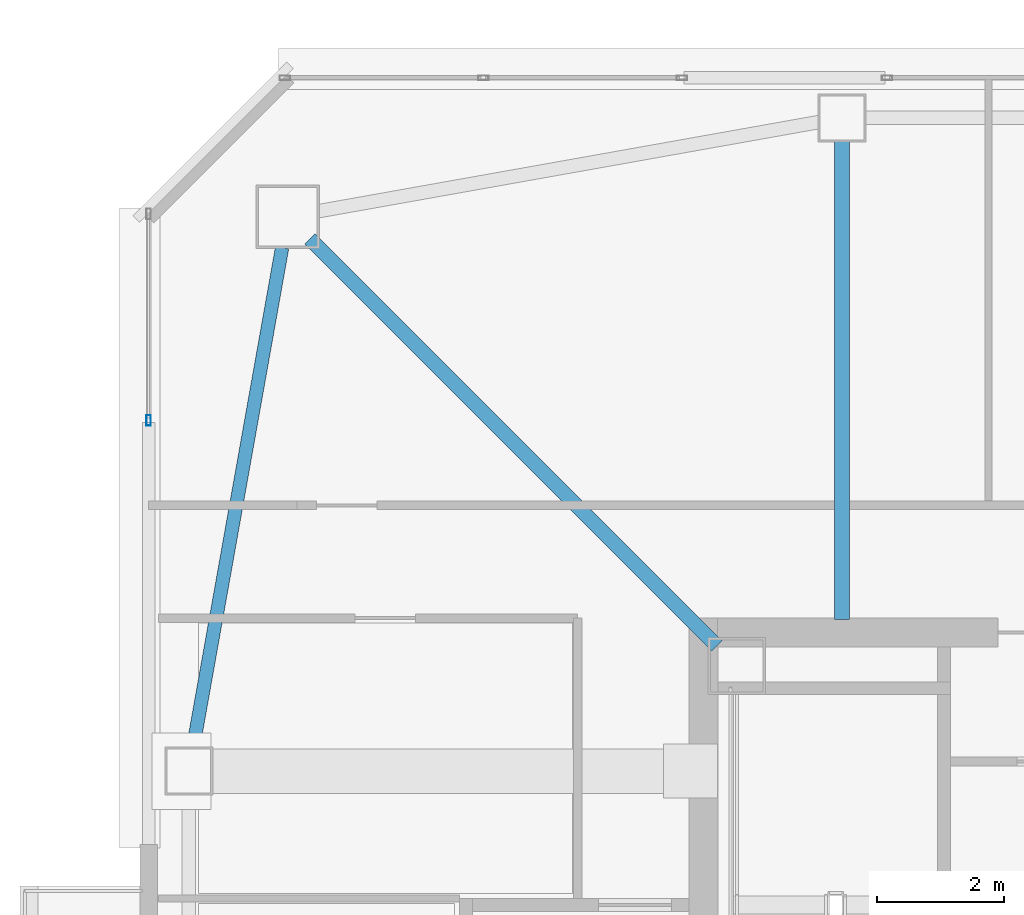
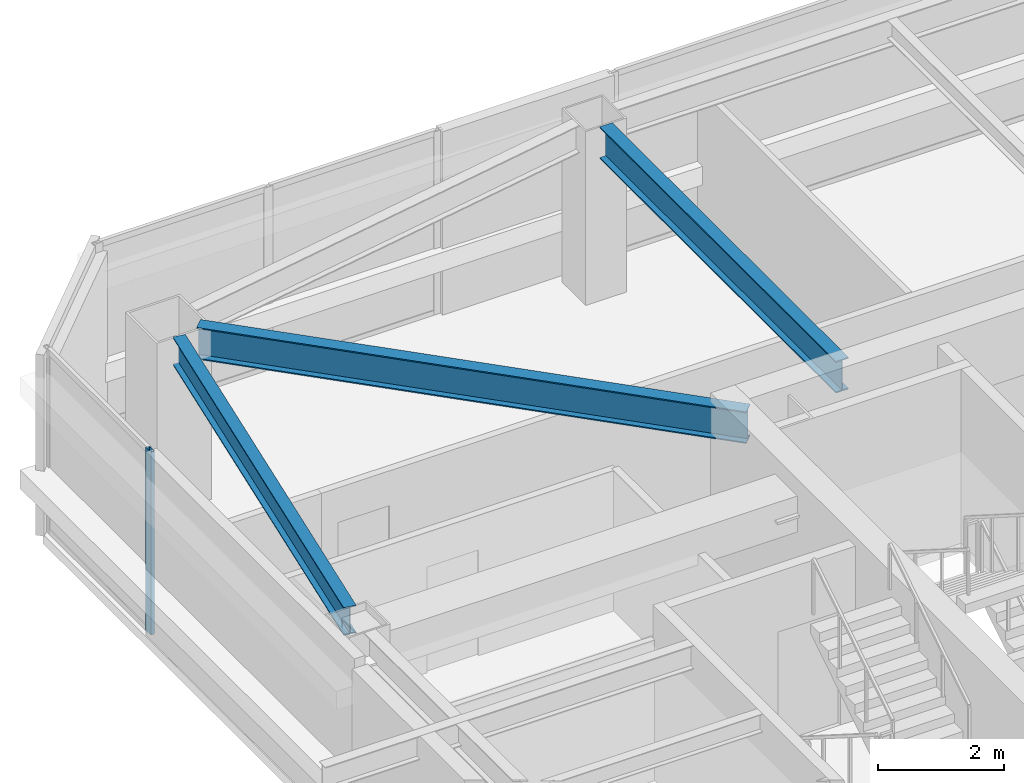
# One storey, part 7 of 39: 3 beams, 1 member, 1 element without a shape of its own.
"""IFC4 building model written with IfcOpenShell, lengths in metres."""

from ifc_helpers import new_model, si_unit, direction, frame, origin, origin_2d, place, context, subcontext, project, spatial, hollow_rectangle, i_section, extrude, material, material_profile, profile_set, type_object, element, aggregate, save


model = new_model("IFC4")

# Units and contexts
model_context = context("Model", 3, precision=1e-05, world=origin(), true_north=direction((0.0, 1.0)))
body_context = subcontext(model_context, "Body", "Model", "MODEL_VIEW")
ifc_project = project(units=[si_unit("LENGTHUNIT", "METRE"), si_unit("AREAUNIT", "SQUARE_METRE"), si_unit("VOLUMEUNIT", "CUBIC_METRE"), si_unit("PLANEANGLEUNIT", "RADIAN"), si_unit("MASSUNIT", "GRAM", prefix="KILO")], contexts=[model_context])

# Site, building, storey
site_placement = place(None, origin())
site = spatial("IfcSite", under=ifc_project, at=site_placement, CompositionType="ELEMENT")
building_placement = place(site_placement, origin())
building = spatial("IfcBuilding", under=site, at=building_placement, Name="Tashvorn Skyway Center", CompositionType="ELEMENT")
storey_placement = place(building_placement, frame((0.0, 0.0, 214.85009765625)))
storey = spatial("IfcBuildingStorey", under=building, at=storey_placement, Name="L58", CompositionType="ELEMENT", Elevation=214.85009765625)

# Beams
ifc_material_1 = material(Name="Steel ASTM A992 Grade 50", Category="steel")
ifc_material_profile_1 = material_profile(ifc_material_1, i_section(OverallWidth=0.22998046875, OverallDepth=0.616943359375, WebThickness=0.01318359375, FlangeThickness=0.022216796875, at=origin_2d()), Name="W24X94")
ifc_profile_set_1 = profile_set([ifc_material_profile_1], Name="Steel ASTM A992 Grade 50")
beam_type_1 = type_object("IfcBeamType", Name="BM-BEAM-W24X94", PredefinedType="BEAM", material=ifc_profile_set_1)
beam_1_placement = place(storey_placement, frame((28.25, 45.75, 3.0615234375), z_axis=(0.707106781187, -0.707106781187, 0.0), x_axis=(0.707106781187, 0.707106781187, 0.0)))
element("IfcBeam", 1, at=beam_1_placement, inside=storey, type_object=beam_type_1, Name="Tower 1 L58 Primary Floor Girder MC-NW", PredefinedType="BEAM", context=body_context, shape_type="SweptSolid", body=[
    extrude(i_section(OverallWidth=0.22998046875, OverallDepth=0.616943359375, WebThickness=0.01318359375, FlangeThickness=0.022216796875, at=origin_2d()), origin(), (0.0, 0.0, 1.0), 9.030029296875),
])
beam_2_placement = place(storey_placement, frame((36.60009765625, 47.280029296875, 3.0615234375), z_axis=(0.0, -1.0, 0.0), x_axis=(1.0, 0.0, 0.0)))
element("IfcBeam", 2, at=beam_2_placement, inside=storey, type_object=beam_type_1, Name="Tower 1 L58 Primary Floor Girder FC-N2", PredefinedType="BEAM", context=body_context, shape_type="SweptSolid", body=[
    extrude(i_section(OverallWidth=0.22998046875, OverallDepth=0.616943359375, WebThickness=0.01318359375, FlangeThickness=0.022216796875, at=origin_2d()), origin(), (0.0, 0.0, 1.0), 7.5),
])
ifc_material_profile_2 = material_profile(ifc_material_1, i_section(OverallWidth=0.2109375, OverallDepth=0.5390625, WebThickness=0.01171875, FlangeThickness=0.018798828125, at=origin_2d()), Name="W21X73")
ifc_profile_set_2 = profile_set([ifc_material_profile_2], Name="Steel ASTM A992 Grade 50")
beam_type_2 = type_object("IfcBeamType", Name="BM-SPANDREL-W21X73", PredefinedType="SPANDREL", material=ifc_profile_set_2)
beam_3_placement = place(storey_placement, frame((27.813232421875, 45.61279296875, 3.100341796875), z_axis=(-0.17541329759, -0.984494883191, 0.0), x_axis=(0.984494883191, -0.17541329759, 0.0)))
element("IfcBeam", 3, at=beam_3_placement, inside=storey, type_object=beam_type_2, Name="Tower 1 L58 Spandrel Beam 10", PredefinedType="SPANDREL", context=body_context, shape_type="SweptSolid", body=[
    extrude(i_section(OverallWidth=0.2109375, OverallDepth=0.5390625, WebThickness=0.01171875, FlangeThickness=0.018798828125, at=origin_2d()), origin(), (0.0, 0.0, 1.0), 7.97216796875),
])

# Curtain wall, member
ifc_material_2 = material(Name="Thermally broken bronze-anodized aluminium 6063-T6", Category="aluminium")
curtain_wall_type = type_object("IfcCurtainWallType", Name="CW-CW-Z5", PredefinedType="NOTDEFINED", material=ifc_material_2)
curtain_wall_placement = place(storey_placement, origin())
curtain_wall = element("IfcCurtainWall", 4, at=curtain_wall_placement, inside=storey, type_object=curtain_wall_type, Name="Tower 1 L58 West Curtain Wall R Glazing Group 1", PredefinedType="NOTDEFINED")
ifc_material_profile_3 = material_profile(ifc_material_2, hollow_rectangle(XDim=0.070068359375, YDim=0.1650390625, WallThickness=0.00390625, at=origin_2d()), Name="ALU-MULL-70x165")
ifc_profile_set_3 = profile_set([ifc_material_profile_3], Name="Thermally broken bronze-anodized aluminium 6063-T6")
member_type = type_object("IfcMemberType", Name="CWM-CW-Z5", PredefinedType="MULLION", material=ifc_profile_set_3)
member_placement = place(storey_placement, frame((25.719970703125, 42.905029296875, 0.0), z_axis=(0.0, 0.0, 1.0), x_axis=(-1.0, 0.0, 0.0)))
member = element("IfcMember", 5, at=member_placement, type_object=member_type, Name="CW-Z5 mullion 1", PredefinedType="MULLION", context=body_context, shape_type="SweptSolid", body=[
    extrude(hollow_rectangle(XDim=0.070068359375, YDim=0.1650390625, WallThickness=0.00390625, at=origin_2d()), origin(), (0.0, 0.0, 1.0), 3.5498046875),
])
aggregate(curtain_wall, [member])

save(model, "model.ifc")
